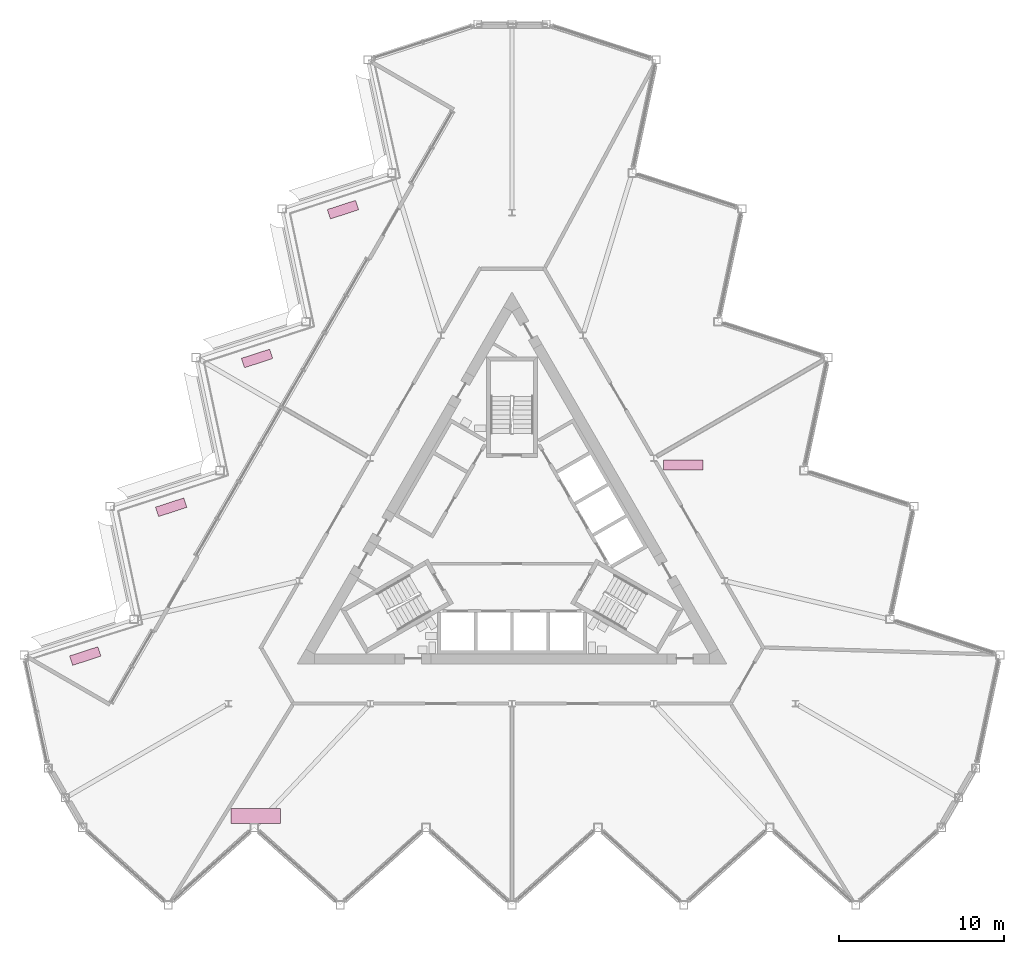
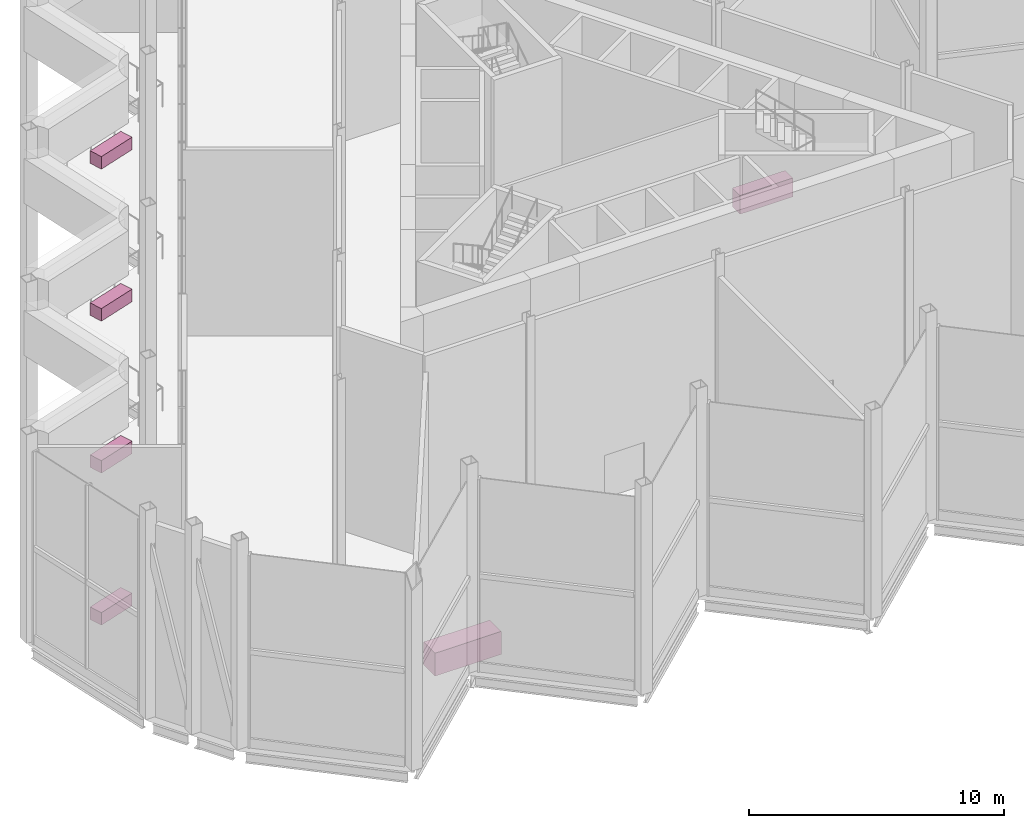
# One storey, part 18 of 18: 6 furniture elements.
"""IFC4 building model written with IfcOpenShell, lengths in metres."""

from ifc_helpers import new_model, si_unit, direction, frame, origin, origin_2d, place, context, subcontext, project, spatial, rectangle, extrude, material, type_object, element, save


model = new_model("IFC4")

# Units and contexts
model_context = context("Model", 3, precision=1e-05, world=origin(), true_north=direction((0.0, 1.0)))
body_context = subcontext(model_context, "Body", "Model", "MODEL_VIEW")
ifc_project = project(units=[si_unit("LENGTHUNIT", "METRE"), si_unit("AREAUNIT", "SQUARE_METRE"), si_unit("VOLUMEUNIT", "CUBIC_METRE"), si_unit("PLANEANGLEUNIT", "RADIAN"), si_unit("MASSUNIT", "GRAM", prefix="KILO")], contexts=[model_context])

# Site, building, storey
site_placement = place(None, origin())
site = spatial("IfcSite", under=ifc_project, at=site_placement, CompositionType="ELEMENT")
building_placement = place(site_placement, origin())
building = spatial("IfcBuilding", under=site, at=building_placement, Name="Cormorant Prow Tower", CompositionType="ELEMENT")
storey_placement = place(building_placement, frame((0.0, 0.0, 405.199951171875)))
storey = spatial("IfcBuildingStorey", under=building, at=storey_placement, Name="L93", CompositionType="ELEMENT", Elevation=405.199951171875)

# Furniture
ifc_material_1 = material(Name="Timber joinery", Category="wood")
furniture_type_1 = type_object("IfcFurnitureType", Name="Kitchen counter 2400x600", AssemblyPlace="NOTDEFINED", PredefinedType="NOTDEFINED", material=ifc_material_1)
furniture_1_placement = place(storey_placement, frame((10.359130859375, 4.52490234375, 0.0), z_axis=(0.0, 0.0, 1.0), x_axis=(1.0, 0.0, 0.0)))
element("IfcFurniture", 1, at=furniture_1_placement, inside=storey, type_object=furniture_type_1, Name="Kitchen counter", PredefinedType="NOTDEFINED", context=body_context, shape_type="SweptSolid", body=[
    extrude(rectangle(XDim=2.39990234375, YDim=0.60009765625, at=origin_2d()), origin(), (0.0, 0.0, 1.0), 0.89990234375),
])
ifc_material_2 = material(Name="Timber joinery", Category="wood")
furniture_type_2 = type_object("IfcFurnitureType", Name="Reception desk 3000x900", AssemblyPlace="NOTDEFINED", PredefinedType="DESK", material=ifc_material_2)
furniture_2_placement = place(storey_placement, frame((-15.499267578125, -16.7099609375, 0.0), z_axis=(0.0, 0.0, 1.0), x_axis=(1.0, 0.0, 0.0)))
element("IfcFurniture", 2, at=furniture_2_placement, inside=storey, type_object=furniture_type_2, Name="Reception desk", PredefinedType="DESK", context=body_context, shape_type="SweptSolid", body=[
    extrude(rectangle(XDim=3.0, YDim=0.89990234375, at=origin_2d()), origin(), (0.0, 0.0, 1.0), 1.10009765625),
])
ifc_material_3 = material(Name="Terracotta", Category="masonry")
furniture_type_3 = type_object("IfcFurnitureType", Name="Terrace planter 1800x600x600", AssemblyPlace="NOTDEFINED", PredefinedType="USERDEFINED", material=ifc_material_3)
for number, where, z_axis, x_axis, name in (
    (3, (-10.23046875, 19.990478515625, 0.0), (0.0, 0.0, 1.0), (-0.951056534902, -0.309016937108, 0.0), "Terrace planter WNW02"),
    (4, (-15.430419921875, 10.98388671875, 0.0), (0.0, 0.0, 1.0), (-0.951056492904, -0.309017066365, 0.0), "Terrace planter WNW04"),
    (5, (-20.63037109375, 1.97705078125, 0.0), (0.0, 0.0, 1.0), (-0.951056492904, -0.309017066365, 0.0), "Terrace planter WNW06"),
    (6, (-25.830322265625, -7.029541015625, 0.0), (0.0, 0.0, 1.0), (-0.951056534902, -0.309016937108, 0.0), "Terrace planter WNW08"),
):
    element("IfcFurniture", number, at=place(storey_placement, frame(where, z_axis=z_axis, x_axis=x_axis)), inside=storey, type_object=furniture_type_3, Name=name, ObjectType="PLANTER", PredefinedType="USERDEFINED", context=body_context, shape_type="SweptSolid", body=[
        extrude(rectangle(XDim=1.800048828125, YDim=0.60009765625, at=origin_2d()), origin(), (0.0, 0.0, 1.0), 0.60009765625),
    ])

save(model, "model.ifc")
